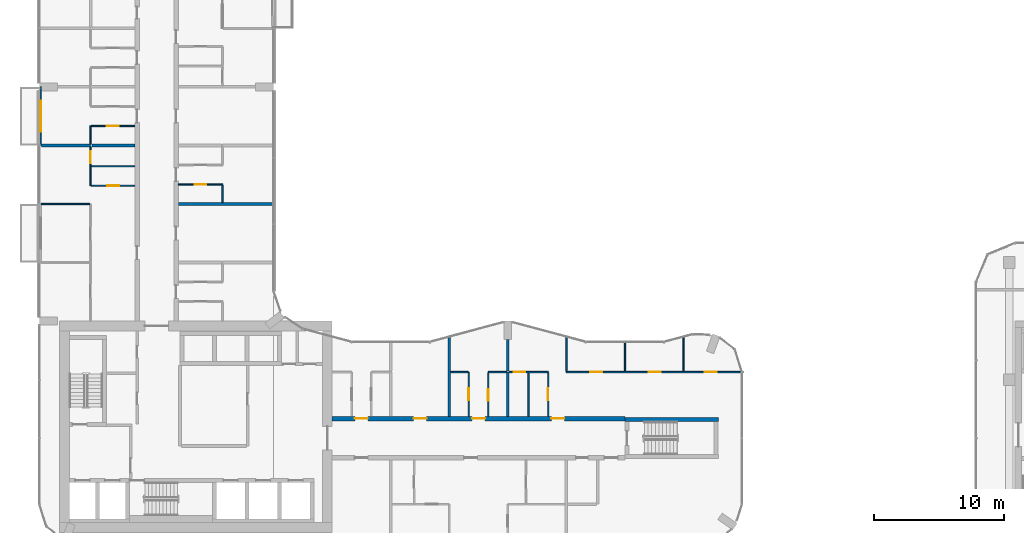
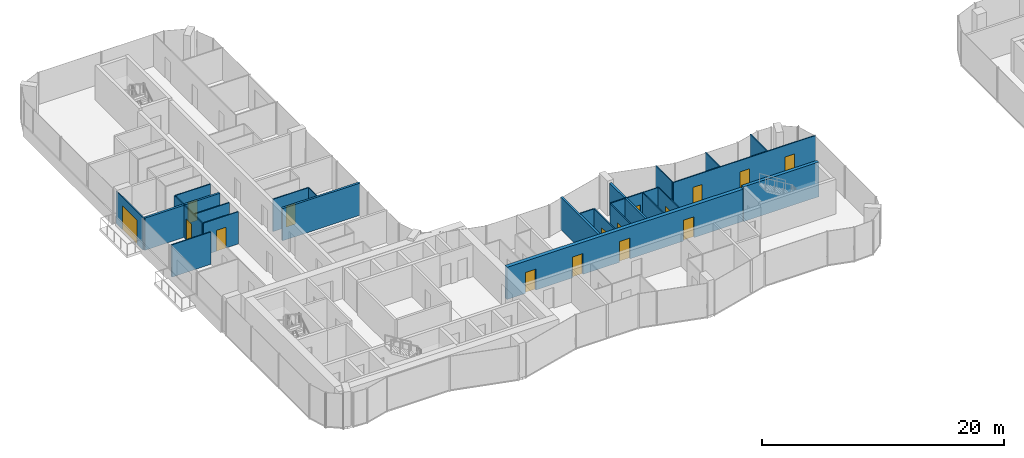
# One storey, part 16 of 24: 28 walls, 16 doors, 16 openings.
"""IFC4 building model written with IfcOpenShell, lengths in metres."""

import ifcopenshell
import ifcopenshell.guid

model = None  # the IFC model being written
_history = None  # IfcOwnerHistory: only IFC2X3 demands one
_inside = {}  # id of a spatial element -> (the spatial element, [elements in it])
_under = {}  # id of a project, library or spatial element -> (it, [spatial elements below it])
_declared = {}  # id of a project -> (the project, [libraries it declares])
_typed = {}  # id of a type object -> (the type object, [elements of that type])
_made_of = {}  # id of a material, layer set ... -> (it, [elements and type objects made of it])


def new_model(schema):
    """Start an empty IFC model of exactly this schema.

    Asked for "IFC4X3", IfcOpenShell would pick the latest addendum, in which some entities
    have other attributes; the version numbers below select the first issue.
    IFC2X3 requires an IfcOwnerHistory on every rooted entity: one is made here for all.
    """
    global model, _history
    if schema == "IFC4X3":
        model = ifcopenshell.file(schema_version=(4, 3, 0, 0))
    else:
        model = ifcopenshell.file(schema=schema)
    _inside.clear()
    _under.clear()
    _declared.clear()
    _typed.clear()
    _made_of.clear()
    _history = None
    if model.schema == "IFC2X3":
        org = make("IfcOrganization", Name="unknown")
        user = make(
            "IfcPersonAndOrganization",
            ThePerson=make("IfcPerson", FamilyName="unknown"),
            TheOrganization=org,
        )
        app = make(
            "IfcApplication",
            ApplicationDeveloper=org,
            Version="unknown",
            ApplicationFullName="unknown",
            ApplicationIdentifier="unknown",
        )
        _history = make(
            "IfcOwnerHistory",
            OwningUser=user,
            OwningApplication=app,
            ChangeAction="ADDED",
            CreationDate=0,
        )
    return model


def make(cls, **values):
    """One entity of the class cls with the attributes given. An attribute that is None is left unset."""
    return model.create_entity(
        cls, **{name: value for name, value in values.items() if value is not None}
    )


def rooted(cls, **values):
    """An entity with a GlobalId (a new one), such as an element, a storey or a relation."""
    return make(cls, GlobalId=ifcopenshell.guid.new(), OwnerHistory=_history, **values)


def si_unit(unit_type, name, prefix=None):
    """IfcSIUnit, for example si_unit("LENGTHUNIT", "METRE", prefix="MILLI")."""
    return make("IfcSIUnit", UnitType=unit_type, Prefix=prefix, Name=name)


def assignment(units):
    """IfcUnitAssignment: the units of a project."""
    return None if units is None else make("IfcUnitAssignment", Units=units)


def point(xyz):
    """IfcCartesianPoint."""
    return None if xyz is None else make("IfcCartesianPoint", Coordinates=xyz)


def direction(xyz):
    """IfcDirection."""
    return None if xyz is None else make("IfcDirection", DirectionRatios=xyz)


def frame(location, z_axis=None, x_axis=None):
    """IfcAxis2Placement3D, a coordinate frame: its origin and axes. An axis left out is left unset."""
    return make(
        "IfcAxis2Placement3D",
        Location=point(location),
        Axis=direction(z_axis),
        RefDirection=direction(x_axis),
    )


def frame_2d(location, x_axis=None):
    """IfcAxis2Placement2D, a coordinate frame in the plane: its origin and x axis."""
    return make(
        "IfcAxis2Placement2D", Location=point(location), RefDirection=direction(x_axis)
    )


def origin():
    """The frame at (0, 0, 0) with its axes left unset."""
    return frame((0.0, 0.0, 0.0))


def place(relative_to, where):
    """IfcLocalPlacement: puts the frame where relative to a parent placement (None: the world)."""
    return make(
        "IfcLocalPlacement", PlacementRelTo=relative_to, RelativePlacement=where
    )


def context(
    kind, dimensions, precision=None, world=None, true_north=None, identifier=None
):
    """IfcGeometricRepresentationContext, for example the 3D "Model" context."""
    return make(
        "IfcGeometricRepresentationContext",
        ContextIdentifier=identifier,
        ContextType=kind,
        CoordinateSpaceDimension=dimensions,
        Precision=precision,
        WorldCoordinateSystem=world,
        TrueNorth=true_north,
    )


def subcontext(parent, identifier, kind, view, scale=None):
    """IfcGeometricRepresentationSubContext, for example "Body" below "Model"."""
    return make(
        "IfcGeometricRepresentationSubContext",
        ContextIdentifier=identifier,
        ContextType=kind,
        ParentContext=parent,
        TargetScale=scale,
        TargetView=view,
    )


def project(units=None, contexts=None):
    """IfcProject with its units and contexts."""
    return rooted(
        "IfcProject",
        Name="project",
        RepresentationContexts=contexts,
        UnitsInContext=assignment(units),
    )


def spatial(cls, under=None, at=None, **own):
    """A site, building, storey or space (cls), placed at a placement, below another one or the project."""
    s = rooted(cls, ObjectPlacement=at, **own)
    if under is not None:
        _under.setdefault(under.id(), (under, []))[1].append(s)
    return s


def profile(cls, at=None, kind="AREA", **sizes):
    """A parametric profile (cls). Its sizes go by their IFC names, for example OverallWidth=200.0."""
    return make(cls, ProfileType=kind, Position=at, **sizes)


def rectangle(**sizes):
    """IfcRectangleProfileDef."""
    return profile("IfcRectangleProfileDef", **sizes)


def extrude(swept, where, along, depth):
    """IfcExtrudedAreaSolid: the profile swept, set in the frame where, extruded along a direction by depth."""
    return make(
        "IfcExtrudedAreaSolid",
        SweptArea=swept,
        Position=where,
        ExtrudedDirection=direction(along),
        Depth=depth,
    )


def shape(context_of_items, identifier, shape_type, items):
    """IfcShapeRepresentation: the items that make up one representation, for example the "Body"."""
    return make(
        "IfcShapeRepresentation",
        ContextOfItems=context_of_items,
        RepresentationIdentifier=identifier,
        RepresentationType=shape_type,
        Items=items,
    )


def material(Name=None, Category=None):
    """IfcMaterial."""
    return make("IfcMaterial", Name=Name, Category=Category)


def layer(
    of_material, thickness, ventilated=None, Name=None, Category=None, Priority=None
):
    """IfcMaterialLayer: one layer of a wall or slab, of a material (None: an air gap)."""
    return make(
        "IfcMaterialLayer",
        Material=of_material,
        LayerThickness=thickness,
        IsVentilated=ventilated,
        Name=Name,
        Category=Category,
        Priority=Priority,
    )


def layer_set(layers, Name=None):
    """IfcMaterialLayerSet."""
    return make("IfcMaterialLayerSet", MaterialLayers=layers, LayerSetName=Name)


def made_of(thing, what):
    """Note that an element or type object is made of a material, layer set ...; save() writes the relation."""
    if what is not None:
        _made_of.setdefault(what.id(), (what, []))[1].append(thing)
    return thing


def type_object(cls, material=None, **own):
    """A type object (cls), such as IfcWallType, which elements share."""
    return made_of(rooted(cls, **own), material)


def element(
    cls,
    number,
    at=None,
    inside=None,
    cuts=None,
    type_object=None,
    material=None,
    context=None,
    identifier="Body",
    shape_type=None,
    held_by="IfcProductDefinitionShape",
    body=None,
    shapes=None,
    **own,
):
    """One element of the class cls, such as IfcWall. Its Tag is "e" and its number.

    at: its placement. inside: the storey or other place that contains it. cuts: it is an
    opening in that element (IfcRelVoidsElement). A single representation is given by context,
    identifier, shape_type and body (its items); several are given by shapes. held_by: the class
    of the entity that holds the representations. save() writes the other relations.
    """
    e = rooted(cls, Tag="e%d" % number, ObjectPlacement=at, **own)
    if body is not None:
        shapes = [shape(context, identifier, shape_type, body)]
    if shapes is not None:
        e.Representation = make(held_by, Representations=shapes)
    if inside is not None:
        _inside.setdefault(inside.id(), (inside, []))[1].append(e)
    if cuts is not None:
        rooted(
            "IfcRelVoidsElement", RelatingBuildingElement=cuts, RelatedOpeningElement=e
        )
    if type_object is not None:
        _typed.setdefault(type_object.id(), (type_object, []))[1].append(e)
    return made_of(e, material)


def fill(opening, filler):
    """IfcRelFillsElement: the door or window that sits in an opening."""
    return rooted(
        "IfcRelFillsElement",
        RelatingOpeningElement=opening,
        RelatedBuildingElement=filler,
    )


def aggregate(whole, parts):
    """IfcRelAggregates: a whole, such as a stair, and the parts it consists of."""
    return rooted("IfcRelAggregates", RelatingObject=whole, RelatedObjects=parts)


def save(model, path):
    """Write the relations noted so far, then the file.

    IfcRelAggregates (storeys below a building ...), IfcRelContainedInSpatialStructure (elements
    in a storey), IfcRelDefinesByType, IfcRelAssociatesMaterial and IfcRelDeclares: one each for
    every whole, place, type object, material and project.
    """
    for whole, parts in _under.values():
        aggregate(whole, parts)
    for where, things in _inside.values():
        rooted(
            "IfcRelContainedInSpatialStructure",
            RelatedElements=things,
            RelatingStructure=where,
        )
    for kind, things in _typed.values():
        rooted("IfcRelDefinesByType", RelatedObjects=things, RelatingType=kind)
    for what, things in _made_of.values():
        rooted("IfcRelAssociatesMaterial", RelatedObjects=things, RelatingMaterial=what)
    for by, libraries in _declared.values():
        rooted("IfcRelDeclares", RelatingContext=by, RelatedDefinitions=libraries)
    model.write(path)


model = new_model("IFC4")

# Units and contexts
model_context = context("Model", 3, precision=1e-05, world=origin(), true_north=direction((0.0, 1.0)))
body_context = subcontext(model_context, "Body", "Model", "MODEL_VIEW")
ifc_project = project(units=[si_unit("LENGTHUNIT", "METRE"), si_unit("AREAUNIT", "SQUARE_METRE"), si_unit("VOLUMEUNIT", "CUBIC_METRE"), si_unit("PLANEANGLEUNIT", "RADIAN"), si_unit("MASSUNIT", "GRAM", prefix="KILO")], contexts=[model_context])

# Site, building, storey
site_placement = place(None, origin())
site = spatial("IfcSite", under=ifc_project, at=site_placement, CompositionType="ELEMENT")
building_placement = place(site_placement, origin())
building = spatial("IfcBuilding", under=site, at=building_placement, Name="Plateau Cross Towers", CompositionType="ELEMENT")
storey_placement = place(building_placement, frame((0.0, 0.0, 47.800048828125)))
storey = spatial("IfcBuildingStorey", under=building, at=storey_placement, Name="L11", CompositionType="ELEMENT", Elevation=47.800048828125)

# Wall, opening, door
ifc_material_1 = material(Name="Aluminium framed glazing", Category="aluminium")
ifc_layer_1 = layer(ifc_material_1, 0.10009765625)
ifc_layer_set_1 = layer_set([ifc_layer_1], Name="Aluminium framed glazing")
wall_type_1 = type_object("IfcWallType", Name="Balcony screen wall 100", PredefinedType="STANDARD", material=ifc_layer_set_1)
wall_1_placement = place(storey_placement, frame((0.10009765625, 31.5, 0.0), z_axis=(0.0, 0.0, 1.0), x_axis=(0.0, 1.0, 0.0)))
wall_1 = element("IfcWall", 1, at=wall_1_placement, inside=storey, type_object=wall_type_1, Name="Balcony screen wall A-BAL-L11-02", PredefinedType="STANDARD", context=body_context, shape_type="SweptSolid", body=[
    extrude(rectangle(XDim=4.5, YDim=0.10009765625, at=frame_2d((2.25, 0.0))), origin(), (0.0, 0.0, 1.0), 3.25),
])
opening_1_placement = place(wall_1_placement, frame((1.050048828125, 0.0, 0.0)))
opening_1 = element("IfcOpeningElement", 2, at=opening_1_placement, cuts=wall_1, Name="Opening D-B24", PredefinedType="OPENING", context=body_context, shape_type="SweptSolid", body=[
    extrude(rectangle(XDim=2.39990234375, YDim=2.39990234375, at=frame_2d((1.199951171875, 1.199951171875))), frame((0.0, 0.06005859375, 0.0), z_axis=(0.0, -1.0, 0.0), x_axis=(1.0, 0.0, 0.0)), (0.0, 0.0, 1.0), 0.1201171875),
])
ifc_material_2 = material(Name="Aluminium frame, double glazing", Category="aluminium")
door_type_1 = type_object("IfcDoorType", Name="Balcony sliding door 2400", OperationType="NOTDEFINED", PredefinedType="DOOR", material=ifc_material_2)
door_1_placement = place(opening_1_placement, origin())
door_1 = element("IfcDoor", 3, at=door_1_placement, inside=storey, type_object=door_type_1, Name="Balcony door A-BAL-L11-02", OperationType="SINGLE_SWING_LEFT", OverallHeight=2.39990234375, OverallWidth=2.39990234375, PredefinedType="DOOR", context=body_context, shape_type="SweptSolid", body=[
    extrude(rectangle(XDim=2.39990234375, YDim=2.39990234375, at=frame_2d((1.199951171875, 1.199951171875))), frame((0.0, 0.02490234375, 0.0), z_axis=(0.0, -1.0, 0.0), x_axis=(1.0, 0.0, 0.0)), (0.0, 0.0, 1.0), 0.050048828125),
])
fill(opening_1, door_1)

# Wall, openings, doors
ifc_material_3 = material(Name="Concrete C60/75", Category="concrete")
ifc_layer_2 = layer(ifc_material_3, 0.35009765625)
ifc_layer_set_2 = layer_set([ifc_layer_2], Name="Concrete C60/75")
wall_type_2 = type_object("IfcWallType", Name="Corridor wall 350", PredefinedType="SHEAR", material=ifc_layer_set_2)
wall_2_placement = place(storey_placement, frame((22.5, 10.5, 0.0), z_axis=(0.0, 0.0, 1.0), x_axis=(1.0, 0.0, 0.0)))
wall_2 = element("IfcWall", 4, at=wall_2_placement, inside=storey, type_object=wall_type_2, Name="A-cw-S2@L11", PredefinedType="SHEAR", context=body_context, shape_type="SweptSolid", body=[
    extrude(rectangle(XDim=22.5, YDim=0.35009765625, at=frame_2d((11.25, 0.0))), origin(), (0.0, 0.0, 1.0), 3.25),
])
opening_2_placement = place(wall_2_placement, frame((1.75, 0.0, 0.0)))
opening_2 = element("IfcOpeningElement", 5, at=opening_2_placement, cuts=wall_2, Name="Opening 11-05", PredefinedType="OPENING", context=body_context, shape_type="SweptSolid", body=[
    extrude(rectangle(XDim=1.0, YDim=2.10009765625, at=frame_2d((0.5, 1.050048828125))), frame((0.0, 0.18505859375, 0.0), z_axis=(0.0, -1.0, 0.0), x_axis=(1.0, 0.0, 0.0)), (0.0, 0.0, 1.0), 0.3701171875),
])
opening_3_placement = place(wall_2_placement, frame((6.25, 0.0, 0.0)))
opening_3 = element("IfcOpeningElement", 6, at=opening_3_placement, cuts=wall_2, Name="Opening 11-06", PredefinedType="OPENING", context=body_context, shape_type="SweptSolid", body=[
    extrude(rectangle(XDim=1.0, YDim=2.10009765625, at=frame_2d((0.5, 1.050048828125))), frame((0.0, 0.18505859375, 0.0), z_axis=(0.0, -1.0, 0.0), x_axis=(1.0, 0.0, 0.0)), (0.0, 0.0, 1.0), 0.3701171875),
])
opening_4_placement = place(wall_2_placement, frame((10.75, 0.0, 0.0)))
opening_4 = element("IfcOpeningElement", 7, at=opening_4_placement, cuts=wall_2, Name="Opening 11-07", PredefinedType="OPENING", context=body_context, shape_type="SweptSolid", body=[
    extrude(rectangle(XDim=1.0, YDim=2.10009765625, at=frame_2d((0.5, 1.050048828125))), frame((0.0, 0.18505859375, 0.0), z_axis=(0.0, -1.0, 0.0), x_axis=(1.0, 0.0, 0.0)), (0.0, 0.0, 1.0), 0.3701171875),
])
opening_5_placement = place(wall_2_placement, frame((16.85009765625, 0.0, 0.0)))
opening_5 = element("IfcOpeningElement", 8, at=opening_5_placement, cuts=wall_2, Name="Opening 11-08", PredefinedType="OPENING", context=body_context, shape_type="SweptSolid", body=[
    extrude(rectangle(XDim=1.0, YDim=2.10009765625, at=frame_2d((0.5, 1.050048828125))), frame((0.0, 0.18505859375, 0.0), z_axis=(0.0, -1.0, 0.0), x_axis=(1.0, 0.0, 0.0)), (0.0, 0.0, 1.0), 0.3701171875),
])
ifc_material_4 = material(Name="Timber, fire-resisting leaf", Category="wood")
door_type_2 = type_object("IfcDoorType", Name="Flat entrance door 1000", OperationType="NOTDEFINED", PredefinedType="DOOR", material=ifc_material_4)
door_2_placement = place(opening_2_placement, origin())
door_2 = element("IfcDoor", 9, at=door_2_placement, inside=storey, type_object=door_type_2, Name="Door 11-05", OperationType="SINGLE_SWING_LEFT", OverallHeight=2.10009765625, OverallWidth=1.0, PredefinedType="DOOR", context=body_context, shape_type="SweptSolid", body=[
    extrude(rectangle(XDim=1.0, YDim=2.10009765625, at=frame_2d((0.5, 1.050048828125))), frame((0.0, 0.02490234375, 0.0), z_axis=(0.0, -1.0, 0.0), x_axis=(1.0, 0.0, 0.0)), (0.0, 0.0, 1.0), 0.050048828125),
])
fill(opening_2, door_2)
door_3_placement = place(opening_3_placement, origin())
door_3 = element("IfcDoor", 10, at=door_3_placement, inside=storey, type_object=door_type_2, Name="Door 11-06", OperationType="SINGLE_SWING_LEFT", OverallHeight=2.10009765625, OverallWidth=1.0, PredefinedType="DOOR", context=body_context, shape_type="SweptSolid", body=[
    extrude(rectangle(XDim=1.0, YDim=2.10009765625, at=frame_2d((0.5, 1.050048828125))), frame((0.0, 0.02490234375, 0.0), z_axis=(0.0, -1.0, 0.0), x_axis=(1.0, 0.0, 0.0)), (0.0, 0.0, 1.0), 0.050048828125),
])
fill(opening_3, door_3)
door_4_placement = place(opening_4_placement, origin())
door_4 = element("IfcDoor", 11, at=door_4_placement, inside=storey, type_object=door_type_2, Name="Door 11-07", OperationType="SINGLE_SWING_LEFT", OverallHeight=2.10009765625, OverallWidth=1.0, PredefinedType="DOOR", context=body_context, shape_type="SweptSolid", body=[
    extrude(rectangle(XDim=1.0, YDim=2.10009765625, at=frame_2d((0.5, 1.050048828125))), frame((0.0, 0.02490234375, 0.0), z_axis=(0.0, -1.0, 0.0), x_axis=(1.0, 0.0, 0.0)), (0.0, 0.0, 1.0), 0.050048828125),
])
fill(opening_4, door_4)
door_5_placement = place(opening_5_placement, origin())
door_5 = element("IfcDoor", 12, at=door_5_placement, inside=storey, type_object=door_type_2, Name="Door 11-08", OperationType="SINGLE_SWING_RIGHT", OverallHeight=2.10009765625, OverallWidth=1.0, PredefinedType="DOOR", context=body_context, shape_type="SweptSolid", body=[
    extrude(rectangle(XDim=1.0, YDim=2.10009765625, at=frame_2d((0.5, 1.050048828125))), frame((0.0, 0.02490234375, 0.0), z_axis=(0.0, -1.0, 0.0), x_axis=(1.0, 0.0, 0.0)), (0.0, 0.0, 1.0), 0.050048828125),
])
fill(opening_5, door_5)

# Walls
ifc_material_5 = material(Name="Gypsum board on steel studs", Category="steel")
ifc_layer_3 = layer(ifc_material_5, 0.10009765625)
ifc_layer_set_3 = layer_set([ifc_layer_3], Name="Gypsum board on steel studs")
wall_type_3 = type_object("IfcWallType", Name="Flat partition 100", PredefinedType="PARTITIONING", material=ifc_layer_set_3)
wall_3_placement = place(storey_placement, frame((32.949951171875, 14.074951171875, 0.0), z_axis=(0.0, 0.0, 1.0), x_axis=(-1.0, 0.0, 0.0)))
element("IfcWall", 13, at=wall_3_placement, inside=storey, type_object=wall_type_3, Name="Partition wall", PredefinedType="PARTITIONING", context=body_context, shape_type="SweptSolid", body=[
    extrude(rectangle(XDim=1.349853515625, YDim=0.10009765625, at=frame_2d((0.6748046875, 0.0))), origin(), (0.0, 0.0, 1.0), 3.25),
])
wall_4_placement = place(storey_placement, frame((35.89990234375, 14.074951171875, 0.0), z_axis=(0.0, 0.0, 1.0), x_axis=(-1.0, 0.0, 0.0)))
element("IfcWall", 14, at=wall_4_placement, inside=storey, type_object=wall_type_3, Name="Partition wall", PredefinedType="PARTITIONING", context=body_context, shape_type="SweptSolid", body=[
    extrude(rectangle(XDim=1.39990234375, YDim=0.10009765625, at=frame_2d((0.699951171875, 0.0))), origin(), (0.0, 0.0, 1.0), 3.25),
])

# Wall, opening, door
wall_5_placement = place(storey_placement, frame((39.10009765625, 14.074951171875, 0.0), z_axis=(0.0, 0.0, 1.0), x_axis=(-1.0, 0.0, 0.0)))
wall_5 = element("IfcWall", 15, at=wall_5_placement, inside=storey, type_object=wall_type_3, Name="Partition wall", PredefinedType="PARTITIONING", context=body_context, shape_type="SweptSolid", body=[
    extrude(rectangle(XDim=3.0, YDim=0.10009765625, at=frame_2d((1.5, 0.0))), origin(), (0.0, 0.0, 1.0), 3.25),
])
opening_6_placement = place(wall_5_placement, frame((1.75, 0.0, 0.0)))
opening_6 = element("IfcOpeningElement", 16, at=opening_6_placement, cuts=wall_5, Name="Opening 11-27", PredefinedType="OPENING", context=body_context, shape_type="SweptSolid", body=[
    extrude(rectangle(XDim=0.89990234375, YDim=2.10009765625, at=frame_2d((0.449951171875, 1.050048828125))), frame((0.0, 0.06005859375, 0.0), z_axis=(0.0, -1.0, 0.0), x_axis=(1.0, 0.0, 0.0)), (0.0, 0.0, 1.0), 0.1201171875),
])
ifc_material_6 = material(Name="Timber leaf", Category="wood")
door_type_3 = type_object("IfcDoorType", Name="Flat room door 900", OperationType="NOTDEFINED", PredefinedType="DOOR", material=ifc_material_6)
door_6_placement = place(opening_6_placement, origin())
door_6 = element("IfcDoor", 17, at=door_6_placement, inside=storey, type_object=door_type_3, Name="Door 11-27", OperationType="SINGLE_SWING_RIGHT", OverallHeight=2.10009765625, OverallWidth=0.89990234375, PredefinedType="DOOR", context=body_context, shape_type="SweptSolid", body=[
    extrude(rectangle(XDim=0.89990234375, YDim=2.10009765625, at=frame_2d((0.449951171875, 1.050048828125))), frame((0.0, 0.02490234375, 0.0), z_axis=(0.0, -1.0, 0.0), x_axis=(1.0, 0.0, 0.0)), (0.0, 0.0, 1.0), 0.050048828125),
])
fill(opening_6, door_6)

# Wall, openings, doors
wall_6_placement = place(storey_placement, frame((40.5, 14.074951171875, 0.0), z_axis=(0.0, 0.0, 1.0), x_axis=(1.0, 0.0, 0.0)))
wall_6 = element("IfcWall", 18, at=wall_6_placement, inside=storey, type_object=wall_type_3, Name="Partition wall", PredefinedType="PARTITIONING", context=body_context, shape_type="SweptSolid", body=[
    extrude(rectangle(XDim=13.580078125, YDim=0.10009765625, at=frame_2d((6.7900390625, 0.0))), origin(), (0.0, 0.0, 1.0), 3.25),
])
opening_7_placement = place(wall_6_placement, frame((1.85009765625, 0.0, 0.0)))
opening_7 = element("IfcOpeningElement", 19, at=opening_7_placement, cuts=wall_6, Name="Opening 11-29", PredefinedType="OPENING", context=body_context, shape_type="SweptSolid", body=[
    extrude(rectangle(XDim=0.89990234375, YDim=2.10009765625, at=frame_2d((0.449951171875, 1.050048828125))), frame((0.0, 0.06005859375, 0.0), z_axis=(0.0, -1.0, 0.0), x_axis=(1.0, 0.0, 0.0)), (0.0, 0.0, 1.0), 0.1201171875),
])
opening_8_placement = place(wall_6_placement, frame((6.35009765625, 0.0, 0.0)))
opening_8 = element("IfcOpeningElement", 20, at=opening_8_placement, cuts=wall_6, Name="Opening 11-30", PredefinedType="OPENING", context=body_context, shape_type="SweptSolid", body=[
    extrude(rectangle(XDim=0.89990234375, YDim=2.10009765625, at=frame_2d((0.449951171875, 1.050048828125))), frame((0.0, 0.06005859375, 0.0), z_axis=(0.0, -1.0, 0.0), x_axis=(1.0, 0.0, 0.0)), (0.0, 0.0, 1.0), 0.1201171875),
])
opening_9_placement = place(wall_6_placement, frame((10.64990234375, 0.0, 0.0)))
opening_9 = element("IfcOpeningElement", 21, at=opening_9_placement, cuts=wall_6, Name="Opening 11-31", PredefinedType="OPENING", context=body_context, shape_type="SweptSolid", body=[
    extrude(rectangle(XDim=0.89990234375, YDim=2.10009765625, at=frame_2d((0.449951171875, 1.050048828125))), frame((0.0, 0.06005859375, 0.0), z_axis=(0.0, -1.0, 0.0), x_axis=(1.0, 0.0, 0.0)), (0.0, 0.0, 1.0), 0.1201171875),
])
door_7_placement = place(opening_7_placement, origin())
door_7 = element("IfcDoor", 22, at=door_7_placement, inside=storey, type_object=door_type_3, Name="Door 11-29", OperationType="SINGLE_SWING_LEFT", OverallHeight=2.10009765625, OverallWidth=0.89990234375, PredefinedType="DOOR", context=body_context, shape_type="SweptSolid", body=[
    extrude(rectangle(XDim=0.89990234375, YDim=2.10009765625, at=frame_2d((0.449951171875, 1.050048828125))), frame((0.0, 0.02490234375, 0.0), z_axis=(0.0, -1.0, 0.0), x_axis=(1.0, 0.0, 0.0)), (0.0, 0.0, 1.0), 0.050048828125),
])
fill(opening_7, door_7)
door_8_placement = place(opening_8_placement, origin())
door_8 = element("IfcDoor", 23, at=door_8_placement, inside=storey, type_object=door_type_3, Name="Door 11-30", OperationType="SINGLE_SWING_RIGHT", OverallHeight=2.10009765625, OverallWidth=0.89990234375, PredefinedType="DOOR", context=body_context, shape_type="SweptSolid", body=[
    extrude(rectangle(XDim=0.89990234375, YDim=2.10009765625, at=frame_2d((0.449951171875, 1.050048828125))), frame((0.0, 0.02490234375, 0.0), z_axis=(0.0, -1.0, 0.0), x_axis=(1.0, 0.0, 0.0)), (0.0, 0.0, 1.0), 0.050048828125),
])
fill(opening_8, door_8)
door_9_placement = place(opening_9_placement, origin())
door_9 = element("IfcDoor", 24, at=door_9_placement, inside=storey, type_object=door_type_3, Name="Door 11-31", OperationType="SINGLE_SWING_RIGHT", OverallHeight=2.10009765625, OverallWidth=0.89990234375, PredefinedType="DOOR", context=body_context, shape_type="SweptSolid", body=[
    extrude(rectangle(XDim=0.89990234375, YDim=2.10009765625, at=frame_2d((0.449951171875, 1.050048828125))), frame((0.0, 0.02490234375, 0.0), z_axis=(0.0, -1.0, 0.0), x_axis=(1.0, 0.0, 0.0)), (0.0, 0.0, 1.0), 0.050048828125),
])
fill(opening_9, door_9)

# Wall
wall_7_placement = place(storey_placement, frame((3.875, 27.0, 0.0), z_axis=(0.0, 0.0, 1.0), x_axis=(-1.0, 0.0, 0.0)))
element("IfcWall", 25, at=wall_7_placement, inside=storey, type_object=wall_type_3, Name="Partition wall", PredefinedType="PARTITIONING", context=body_context, shape_type="SweptSolid", body=[
    extrude(rectangle(XDim=3.72509765625, YDim=0.10009765625, at=frame_2d((1.862548828125, 0.0))), origin(), (0.0, 0.0, 1.0), 3.25),
])

# Wall, opening, door
wall_8_placement = place(storey_placement, frame((3.97509765625, 28.39990234375, 0.0), z_axis=(0.0, 0.0, 1.0), x_axis=(1.0, 0.0, 0.0)))
wall_8 = element("IfcWall", 26, at=wall_8_placement, inside=storey, type_object=wall_type_3, Name="Partition wall", PredefinedType="PARTITIONING", context=body_context, shape_type="SweptSolid", body=[
    extrude(rectangle(XDim=3.349853515625, YDim=0.10009765625, at=frame_2d((1.6748046875, 0.0))), origin(), (0.0, 0.0, 1.0), 3.25),
])
opening_10_placement = place(wall_8_placement, frame((1.25, 0.0, 0.0)))
opening_10 = element("IfcOpeningElement", 27, at=opening_10_placement, cuts=wall_8, Name="Opening 11-32", PredefinedType="OPENING", context=body_context, shape_type="SweptSolid", body=[
    extrude(rectangle(XDim=0.89990234375, YDim=2.10009765625, at=frame_2d((0.449951171875, 1.050048828125))), frame((0.0, 0.06005859375, 0.0), z_axis=(0.0, -1.0, 0.0), x_axis=(1.0, 0.0, 0.0)), (0.0, 0.0, 1.0), 0.1201171875),
])
door_10_placement = place(opening_10_placement, origin())
door_10 = element("IfcDoor", 28, at=door_10_placement, inside=storey, type_object=door_type_3, Name="Door 11-32", OperationType="SINGLE_SWING_RIGHT", OverallHeight=2.10009765625, OverallWidth=0.89990234375, PredefinedType="DOOR", context=body_context, shape_type="SweptSolid", body=[
    extrude(rectangle(XDim=0.89990234375, YDim=2.10009765625, at=frame_2d((0.449951171875, 1.050048828125))), frame((0.0, 0.02490234375, 0.0), z_axis=(0.0, -1.0, 0.0), x_axis=(1.0, 0.0, 0.0)), (0.0, 0.0, 1.0), 0.050048828125),
])
fill(opening_10, door_10)

wall_9_placement = place(storey_placement, frame((14.074951171875, 28.5, 0.0), z_axis=(0.0, 0.0, 1.0), x_axis=(-1.0, 0.0, 0.0)))
wall_9 = element("IfcWall", 29, at=wall_9_placement, inside=storey, type_object=wall_type_3, Name="Partition wall", PredefinedType="PARTITIONING", context=body_context, shape_type="SweptSolid", body=[
    extrude(rectangle(XDim=3.39990234375, YDim=0.10009765625, at=frame_2d((1.699951171875, 0.0))), origin(), (0.0, 0.0, 1.0), 3.25),
])
opening_11_placement = place(wall_9_placement, frame((1.25, 0.0, 0.0)))
opening_11 = element("IfcOpeningElement", 30, at=opening_11_placement, cuts=wall_9, Name="Opening 11-42", PredefinedType="OPENING", context=body_context, shape_type="SweptSolid", body=[
    extrude(rectangle(XDim=0.89990234375, YDim=2.10009765625, at=frame_2d((0.449951171875, 1.050048828125))), frame((0.0, 0.06005859375, 0.0), z_axis=(0.0, -1.0, 0.0), x_axis=(1.0, 0.0, 0.0)), (0.0, 0.0, 1.0), 0.1201171875),
])
door_11_placement = place(opening_11_placement, origin())
door_11 = element("IfcDoor", 31, at=door_11_placement, inside=storey, type_object=door_type_3, Name="Door 11-42", OperationType="SINGLE_SWING_RIGHT", OverallHeight=2.10009765625, OverallWidth=0.89990234375, PredefinedType="DOOR", context=body_context, shape_type="SweptSolid", body=[
    extrude(rectangle(XDim=0.89990234375, YDim=2.10009765625, at=frame_2d((0.449951171875, 1.050048828125))), frame((0.0, 0.02490234375, 0.0), z_axis=(0.0, -1.0, 0.0), x_axis=(1.0, 0.0, 0.0)), (0.0, 0.0, 1.0), 0.050048828125),
])
fill(opening_11, door_11)

# Wall
wall_10_placement = place(storey_placement, frame((7.324951171875, 29.89990234375, 0.0), z_axis=(0.0, 0.0, 1.0), x_axis=(-1.0, 0.0, 0.0)))
element("IfcWall", 32, at=wall_10_placement, inside=storey, type_object=wall_type_3, Name="Partition wall", PredefinedType="PARTITIONING", context=body_context, shape_type="SweptSolid", body=[
    extrude(rectangle(XDim=3.349853515625, YDim=0.10009765625, at=frame_2d((1.6748046875, 0.0))), origin(), (0.0, 0.0, 1.0), 3.25),
])

# Wall, opening, door
wall_11_placement = place(storey_placement, frame((7.324951171875, 33.0, 0.0), z_axis=(0.0, 0.0, 1.0), x_axis=(-1.0, 0.0, 0.0)))
wall_11 = element("IfcWall", 33, at=wall_11_placement, inside=storey, type_object=wall_type_3, Name="Partition wall", PredefinedType="PARTITIONING", context=body_context, shape_type="SweptSolid", body=[
    extrude(rectangle(XDim=3.349853515625, YDim=0.10009765625, at=frame_2d((1.6748046875, 0.0))), origin(), (0.0, 0.0, 1.0), 3.25),
])
opening_12_placement = place(wall_11_placement, frame((1.25, 0.0, 0.0)))
opening_12 = element("IfcOpeningElement", 34, at=opening_12_placement, cuts=wall_11, Name="Opening 11-36", PredefinedType="OPENING", context=body_context, shape_type="SweptSolid", body=[
    extrude(rectangle(XDim=0.89990234375, YDim=2.10009765625, at=frame_2d((0.449951171875, 1.050048828125))), frame((0.0, 0.06005859375, 0.0), z_axis=(0.0, -1.0, 0.0), x_axis=(1.0, 0.0, 0.0)), (0.0, 0.0, 1.0), 0.1201171875),
])
door_12_placement = place(opening_12_placement, origin())
door_12 = element("IfcDoor", 35, at=door_12_placement, inside=storey, type_object=door_type_3, Name="Door 11-36", OperationType="SINGLE_SWING_RIGHT", OverallHeight=2.10009765625, OverallWidth=0.89990234375, PredefinedType="DOOR", context=body_context, shape_type="SweptSolid", body=[
    extrude(rectangle(XDim=0.89990234375, YDim=2.10009765625, at=frame_2d((0.449951171875, 1.050048828125))), frame((0.0, 0.02490234375, 0.0), z_axis=(0.0, -1.0, 0.0), x_axis=(1.0, 0.0, 0.0)), (0.0, 0.0, 1.0), 0.050048828125),
])
fill(opening_12, door_12)

wall_12_placement = place(storey_placement, frame((3.925048828125, 31.39990234375, 0.0), z_axis=(0.0, 0.0, 1.0), x_axis=(0.0, -1.0, 0.0)))
wall_12 = element("IfcWall", 36, at=wall_12_placement, inside=storey, type_object=wall_type_3, Name="Partition wall", PredefinedType="PARTITIONING", context=body_context, shape_type="SweptSolid", body=[
    extrude(rectangle(XDim=3.0, YDim=0.10009765625, at=frame_2d((1.5, 0.0))), origin(), (0.0, 0.0, 1.0), 3.25),
])
opening_13_placement = place(wall_12_placement, frame((0.35009765625, 0.0, 0.0)))
opening_13 = element("IfcOpeningElement", 37, at=opening_13_placement, cuts=wall_12, Name="Opening 11-33", PredefinedType="OPENING", context=body_context, shape_type="SweptSolid", body=[
    extrude(rectangle(XDim=0.89990234375, YDim=2.10009765625, at=frame_2d((0.449951171875, 1.050048828125))), frame((0.0, 0.06005859375, 0.0), z_axis=(0.0, -1.0, 0.0), x_axis=(1.0, 0.0, 0.0)), (0.0, 0.0, 1.0), 0.1201171875),
])
door_13_placement = place(opening_13_placement, origin())
door_13 = element("IfcDoor", 38, at=door_13_placement, inside=storey, type_object=door_type_3, Name="Door 11-33", OperationType="SINGLE_SWING_LEFT", OverallHeight=2.10009765625, OverallWidth=0.89990234375, PredefinedType="DOOR", context=body_context, shape_type="SweptSolid", body=[
    extrude(rectangle(XDim=0.89990234375, YDim=2.10009765625, at=frame_2d((0.449951171875, 1.050048828125))), frame((0.0, 0.02490234375, 0.0), z_axis=(0.0, -1.0, 0.0), x_axis=(1.0, 0.0, 0.0)), (0.0, 0.0, 1.0), 0.050048828125),
])
fill(opening_13, door_13)

# Walls
wall_13_placement = place(storey_placement, frame((3.925048828125, 33.0, 0.0), z_axis=(0.0, 0.0, 1.0), x_axis=(0.0, -1.0, 0.0)))
element("IfcWall", 39, at=wall_13_placement, inside=storey, type_object=wall_type_3, Name="Partition wall", PredefinedType="PARTITIONING", context=body_context, shape_type="SweptSolid", body=[
    extrude(rectangle(XDim=1.39990234375, YDim=0.10009765625, at=frame_2d((0.699951171875, 0.0))), origin(), (0.0, 0.0, 1.0), 3.25),
])
wall_14_placement = place(storey_placement, frame((14.074951171875, 27.10009765625, 0.0), z_axis=(0.0, 0.0, 1.0), x_axis=(0.0, 1.0, 0.0)))
element("IfcWall", 40, at=wall_14_placement, inside=storey, type_object=wall_type_3, Name="Partition wall", PredefinedType="PARTITIONING", context=body_context, shape_type="SweptSolid", body=[
    extrude(rectangle(XDim=1.349853515625, YDim=0.10009765625, at=frame_2d((0.6748046875, 0.0))), origin(), (0.0, 0.0, 1.0), 3.25),
])

# Wall, opening, door
wall_15_placement = place(storey_placement, frame((33.0, 10.675048828125, 0.0), z_axis=(0.0, 0.0, 1.0), x_axis=(0.0, 1.0, 0.0)))
wall_15 = element("IfcWall", 41, at=wall_15_placement, inside=storey, type_object=wall_type_3, Name="Partition wall", PredefinedType="PARTITIONING", context=body_context, shape_type="SweptSolid", body=[
    extrude(rectangle(XDim=3.39990234375, YDim=0.10009765625, at=frame_2d((1.699951171875, 0.0))), origin(), (0.0, 0.0, 1.0), 3.25),
])
opening_14_placement = place(wall_15_placement, frame((1.25, 0.0, 0.0)))
opening_14 = element("IfcOpeningElement", 42, at=opening_14_placement, cuts=wall_15, Name="Opening 11-25", PredefinedType="OPENING", context=body_context, shape_type="SweptSolid", body=[
    extrude(rectangle(XDim=0.89990234375, YDim=2.10009765625, at=frame_2d((0.449951171875, 1.050048828125))), frame((0.0, 0.06005859375, 0.0), z_axis=(0.0, -1.0, 0.0), x_axis=(1.0, 0.0, 0.0)), (0.0, 0.0, 1.0), 0.1201171875),
])
door_14_placement = place(opening_14_placement, origin())
door_14 = element("IfcDoor", 43, at=door_14_placement, inside=storey, type_object=door_type_3, Name="Door 11-25", OperationType="SINGLE_SWING_RIGHT", OverallHeight=2.10009765625, OverallWidth=0.89990234375, PredefinedType="DOOR", context=body_context, shape_type="SweptSolid", body=[
    extrude(rectangle(XDim=0.89990234375, YDim=2.10009765625, at=frame_2d((0.449951171875, 1.050048828125))), frame((0.0, 0.02490234375, 0.0), z_axis=(0.0, -1.0, 0.0), x_axis=(1.0, 0.0, 0.0)), (0.0, 0.0, 1.0), 0.050048828125),
])
fill(opening_14, door_14)

wall_16_placement = place(storey_placement, frame((34.5, 14.02490234375, 0.0), z_axis=(0.0, 0.0, 1.0), x_axis=(0.0, -1.0, 0.0)))
wall_16 = element("IfcWall", 44, at=wall_16_placement, inside=storey, type_object=wall_type_3, Name="Partition wall", PredefinedType="PARTITIONING", context=body_context, shape_type="SweptSolid", body=[
    extrude(rectangle(XDim=3.349853515625, YDim=0.10009765625, at=frame_2d((1.6748046875, 0.0))), origin(), (0.0, 0.0, 1.0), 3.25),
])
opening_15_placement = place(wall_16_placement, frame((1.25, 0.0, 0.0)))
opening_15 = element("IfcOpeningElement", 45, at=opening_15_placement, cuts=wall_16, Name="Opening 11-26", PredefinedType="OPENING", context=body_context, shape_type="SweptSolid", body=[
    extrude(rectangle(XDim=0.89990234375, YDim=2.10009765625, at=frame_2d((0.449951171875, 1.050048828125))), frame((0.0, 0.06005859375, 0.0), z_axis=(0.0, -1.0, 0.0), x_axis=(1.0, 0.0, 0.0)), (0.0, 0.0, 1.0), 0.1201171875),
])
door_15_placement = place(opening_15_placement, origin())
door_15 = element("IfcDoor", 46, at=door_15_placement, inside=storey, type_object=door_type_3, Name="Door 11-26", OperationType="SINGLE_SWING_RIGHT", OverallHeight=2.10009765625, OverallWidth=0.89990234375, PredefinedType="DOOR", context=body_context, shape_type="SweptSolid", body=[
    extrude(rectangle(XDim=0.89990234375, YDim=2.10009765625, at=frame_2d((0.449951171875, 1.050048828125))), frame((0.0, 0.02490234375, 0.0), z_axis=(0.0, -1.0, 0.0), x_axis=(1.0, 0.0, 0.0)), (0.0, 0.0, 1.0), 0.050048828125),
])
fill(opening_15, door_15)

# Wall
wall_17_placement = place(storey_placement, frame((37.60009765625, 10.675048828125, 0.0), z_axis=(0.0, 0.0, 1.0), x_axis=(0.0, 1.0, 0.0)))
element("IfcWall", 47, at=wall_17_placement, inside=storey, type_object=wall_type_3, Name="Partition wall", PredefinedType="PARTITIONING", context=body_context, shape_type="SweptSolid", body=[
    extrude(rectangle(XDim=3.349853515625, YDim=0.10009765625, at=frame_2d((1.6748046875, 0.0))), origin(), (0.0, 0.0, 1.0), 3.25),
])

# Wall, opening, door
wall_18_placement = place(storey_placement, frame((39.10009765625, 10.675048828125, 0.0), z_axis=(0.0, 0.0, 1.0), x_axis=(0.0, 1.0, 0.0)))
wall_18 = element("IfcWall", 48, at=wall_18_placement, inside=storey, type_object=wall_type_3, Name="Partition wall", PredefinedType="PARTITIONING", context=body_context, shape_type="SweptSolid", body=[
    extrude(rectangle(XDim=3.349853515625, YDim=0.10009765625, at=frame_2d((1.6748046875, 0.0))), origin(), (0.0, 0.0, 1.0), 3.25),
])
opening_16_placement = place(wall_18_placement, frame((1.25, 0.0, 0.0)))
opening_16 = element("IfcOpeningElement", 49, at=opening_16_placement, cuts=wall_18, Name="Opening 11-28", PredefinedType="OPENING", context=body_context, shape_type="SweptSolid", body=[
    extrude(rectangle(XDim=0.89990234375, YDim=2.10009765625, at=frame_2d((0.449951171875, 1.050048828125))), frame((0.0, 0.06005859375, 0.0), z_axis=(0.0, -1.0, 0.0), x_axis=(1.0, 0.0, 0.0)), (0.0, 0.0, 1.0), 0.1201171875),
])
door_16_placement = place(opening_16_placement, origin())
door_16 = element("IfcDoor", 50, at=door_16_placement, inside=storey, type_object=door_type_3, Name="Door 11-28", OperationType="SINGLE_SWING_RIGHT", OverallHeight=2.10009765625, OverallWidth=0.89990234375, PredefinedType="DOOR", context=body_context, shape_type="SweptSolid", body=[
    extrude(rectangle(XDim=0.89990234375, YDim=2.10009765625, at=frame_2d((0.449951171875, 1.050048828125))), frame((0.0, 0.02490234375, 0.0), z_axis=(0.0, -1.0, 0.0), x_axis=(1.0, 0.0, 0.0)), (0.0, 0.0, 1.0), 0.050048828125),
])
fill(opening_16, door_16)

# Walls
wall_19_placement = place(storey_placement, frame((40.5, 16.877685546875, 0.0), z_axis=(0.0, 0.0, 1.0), x_axis=(0.0, -1.0, 0.0)))
element("IfcWall", 51, at=wall_19_placement, inside=storey, type_object=wall_type_3, Name="Partition wall", PredefinedType="PARTITIONING", context=body_context, shape_type="SweptSolid", body=[
    extrude(rectangle(XDim=2.752685546875, YDim=0.10009765625, at=frame_2d((1.37646484375, 0.0))), origin(), (0.0, 0.0, 1.0), 3.25),
])
wall_20_placement = place(storey_placement, frame((45.0, 14.125, 0.0), z_axis=(0.0, 0.0, 1.0), x_axis=(0.0, 1.0, 0.0)))
element("IfcWall", 52, at=wall_20_placement, inside=storey, type_object=wall_type_3, Name="Partition wall", PredefinedType="PARTITIONING", context=body_context, shape_type="SweptSolid", body=[
    extrude(rectangle(XDim=2.34814453125, YDim=0.10009765625, at=frame_2d((1.174072265625, 0.0))), origin(), (0.0, 0.0, 1.0), 3.25),
])
wall_21_placement = place(storey_placement, frame((49.5, 14.125, 0.0), z_axis=(0.0, 0.0, 1.0), x_axis=(0.0, 1.0, 0.0)))
element("IfcWall", 53, at=wall_21_placement, inside=storey, type_object=wall_type_3, Name="Partition wall", PredefinedType="PARTITIONING", context=body_context, shape_type="SweptSolid", body=[
    extrude(rectangle(XDim=2.752685546875, YDim=0.10009765625, at=frame_2d((1.37646484375, 0.0))), origin(), (0.0, 0.0, 1.0), 3.25),
])
ifc_material_7 = material(Name="Gypsum board on steel studs, two layers each side", Category="steel")
ifc_layer_4 = layer(ifc_material_7, 0.199951171875)
ifc_layer_set_4 = layer_set([ifc_layer_4], Name="Gypsum board on steel studs, two layers each side")
wall_type_4 = type_object("IfcWallType", Name="Flat party wall 200", PredefinedType="PARTITIONING", material=ifc_layer_set_4)
wall_22_placement = place(storey_placement, frame((18.080078125, 27.0, 0.0), z_axis=(0.0, 0.0, 1.0), x_axis=(-1.0, 0.0, 0.0)))
element("IfcWall", 54, at=wall_22_placement, inside=storey, type_object=wall_type_4, Name="Party wall", PredefinedType="PARTITIONING", context=body_context, shape_type="SweptSolid", body=[
    extrude(rectangle(XDim=7.405029296875, YDim=0.199951171875, at=frame_2d((3.70263671875, 0.0))), origin(), (0.0, 0.0, 1.0), 3.25),
])
wall_23_placement = place(storey_placement, frame((7.324951171875, 31.5, 0.0), z_axis=(0.0, 0.0, 1.0), x_axis=(-1.0, 0.0, 0.0)))
element("IfcWall", 55, at=wall_23_placement, inside=storey, type_object=wall_type_4, Name="Party wall", PredefinedType="PARTITIONING", context=body_context, shape_type="SweptSolid", body=[
    extrude(rectangle(XDim=3.300048828125, YDim=0.199951171875, at=frame_2d((1.64990234375, 0.0))), origin(), (0.0, 0.0, 1.0), 3.25),
])
wall_24_placement = place(storey_placement, frame((0.14990234375, 31.5, 0.0), z_axis=(0.0, 0.0, 1.0), x_axis=(1.0, 0.0, 0.0)))
element("IfcWall", 56, at=wall_24_placement, inside=storey, type_object=wall_type_4, Name="Party wall", PredefinedType="PARTITIONING", context=body_context, shape_type="SweptSolid", body=[
    extrude(rectangle(XDim=3.775146484375, YDim=0.199951171875, at=frame_2d((1.8876953125, 0.0))), origin(), (0.0, 0.0, 1.0), 3.25),
])
wall_25_placement = place(storey_placement, frame((31.5, 10.675048828125, 0.0), z_axis=(0.0, 0.0, 1.0), x_axis=(0.0, 1.0, 0.0)))
element("IfcWall", 57, at=wall_25_placement, inside=storey, type_object=wall_type_4, Name="Party wall", PredefinedType="PARTITIONING", context=body_context, shape_type="SweptSolid", body=[
    extrude(rectangle(XDim=6.20263671875, YDim=0.199951171875, at=frame_2d((3.101318359375, 0.0))), origin(), (0.0, 0.0, 1.0), 3.25),
])
wall_26_placement = place(storey_placement, frame((36.0, 16.60009765625, 0.0), z_axis=(0.0, 0.0, 1.0), x_axis=(0.0, -1.0, 0.0)))
element("IfcWall", 58, at=wall_26_placement, inside=storey, type_object=wall_type_4, Name="Party wall", PredefinedType="PARTITIONING", context=body_context, shape_type="SweptSolid", body=[
    extrude(rectangle(XDim=2.425048828125, YDim=0.199951171875, at=frame_2d((1.21240234375, 0.0))), origin(), (0.0, 0.0, 1.0), 3.25),
])
wall_27_placement = place(storey_placement, frame((36.0, 10.675048828125, 0.0), z_axis=(0.0, 0.0, 1.0), x_axis=(0.0, 1.0, 0.0)))
element("IfcWall", 59, at=wall_27_placement, inside=storey, type_object=wall_type_4, Name="Party wall", PredefinedType="PARTITIONING", context=body_context, shape_type="SweptSolid", body=[
    extrude(rectangle(XDim=3.39990234375, YDim=0.199951171875, at=frame_2d((1.699951171875, 0.0))), origin(), (0.0, 0.0, 1.0), 3.25),
])
ifc_layer_5 = layer(ifc_material_3, 0.300048828125)
ifc_layer_set_5 = layer_set([ifc_layer_5], Name="Concrete C60/75")
wall_type_5 = type_object("IfcWallType", Name="Stair tower wall 300", PredefinedType="SHEAR", material=ifc_layer_set_5)
wall_28_placement = place(storey_placement, frame((45.0, 10.425048828125, 0.0), z_axis=(0.0, 0.0, 1.0), x_axis=(1.0, 0.0, 0.0)))
element("IfcWall", 60, at=wall_28_placement, inside=storey, type_object=wall_type_5, Name="A-end-E-N@L11", PredefinedType="SHEAR", context=body_context, shape_type="SweptSolid", body=[
    extrude(rectangle(XDim=7.199951171875, YDim=0.300048828125, at=frame_2d((3.60009765625, 0.0))), origin(), (0.0, 0.0, 1.0), 3.5),
])

save(model, "model.ifc")
